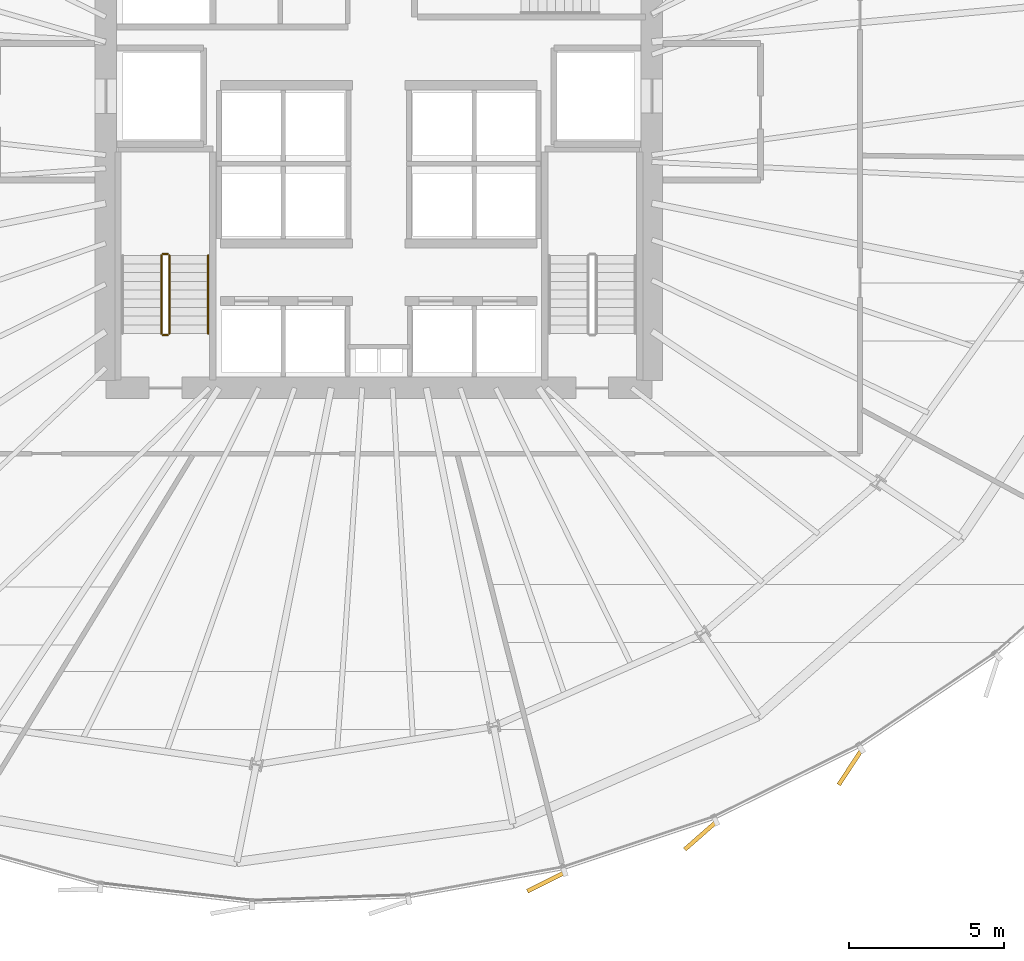
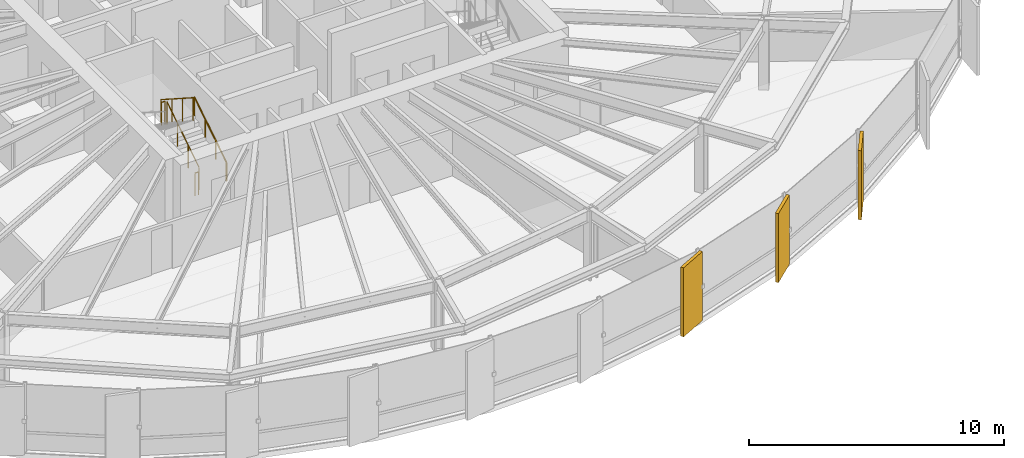
# One storey, part 32 of 35: 5 railings, 3 coverings.
"""IFC4 building model written with IfcOpenShell, lengths in metres."""

from ifc_helpers import new_model, si_unit, direction, frame, origin, origin_2d, place, context, subcontext, project, spatial, rectangle, circle, extrude, source, transform, mapped, material, layer, layer_set, type_object, element, save


model = new_model("IFC4")

# Units and contexts
model_context = context("Model", 3, precision=1e-05, world=origin(), true_north=direction((0.0, 1.0)))
body_context = subcontext(model_context, "Body", "Model", "MODEL_VIEW")
ifc_project = project(units=[si_unit("LENGTHUNIT", "METRE"), si_unit("AREAUNIT", "SQUARE_METRE"), si_unit("VOLUMEUNIT", "CUBIC_METRE"), si_unit("PLANEANGLEUNIT", "RADIAN"), si_unit("MASSUNIT", "GRAM", prefix="KILO"), si_unit("THERMODYNAMICTEMPERATUREUNIT", "KELVIN")], contexts=[model_context])

# Site, building, storey
site_placement = place(None, origin())
site = spatial("IfcSite", under=ifc_project, at=site_placement, CompositionType="ELEMENT")
building_placement = place(site_placement, origin())
building = spatial("IfcBuilding", under=site, at=building_placement, Name="Kethvar Cultural Tower", CompositionType="ELEMENT")
storey_placement = place(building_placement, frame((0.0, 0.0, 92.800048828125)))
storey = spatial("IfcBuildingStorey", under=building, at=storey_placement, Name="L22", CompositionType="ELEMENT", Elevation=92.800048828125)

# Railings
ifc_material_1 = material(Name="Steel S355J2", Category="steel")
railing_type_1 = type_object("IfcRailingType", Name="RL-STAIR-GUARD", PredefinedType="BALUSTRADE", material=ifc_material_1)
railing_1_placement = place(storey_placement, frame((40.050048828125, 21.85009765625, 0.179931640625)))
element("IfcRailing", 1, at=railing_1_placement, inside=storey, type_object=railing_type_1, Name="L22 ST-01 stair guard 1", PredefinedType="BALUSTRADE", context=body_context, shape_type="SweptSolid", body=[
    extrude(circle(Radius=0.02392578125, at=origin_2d()), frame((0.0, 0.0, 1.09619140625), z_axis=(0.0, 0.841162588446, 0.540782303519), x_axis=(-1.0, 0.0, 0.0)), (0.0, 0.0, 1.0), 2.995849609375),
    extrude(circle(Radius=0.02099609375, at=origin_2d()), origin(), (0.0, 0.0, 1.0), 1.072021484375),
    extrude(circle(Radius=0.02099609375, at=origin_2d()), frame((0.0, 0.840087890625, 0.5400390625)), (0.0, 0.0, 1.0), 1.072021484375),
    extrude(circle(Radius=0.02099609375, at=origin_2d()), frame((0.0, 1.679931640625, 1.080078125)), (0.0, 0.0, 1.0), 1.072021484375),
    extrude(circle(Radius=0.02099609375, at=origin_2d()), frame((0.0, 2.52001953125, 1.6201171875)), (0.0, 0.0, 1.0), 1.072021484375),
])
railing_2_placement = place(storey_placement, frame((40.0, 24.419921875, 1.800048828125)))
element("IfcRailing", 2, at=railing_2_placement, inside=storey, type_object=railing_type_1, Name="L22 ST-01 stair guard 2", PredefinedType="BALUSTRADE", context=body_context, shape_type="SweptSolid", body=[
    extrude(circle(Radius=0.02392578125, at=origin_2d()), frame((0.0, 0.0, 1.09619140625), z_axis=(-1.0, 0.0, 0.0), x_axis=(0.0, -1.0, 0.0)), (0.0, 0.0, 1.0), 0.159912109375),
    extrude(circle(Radius=0.02099609375, at=origin_2d()), origin(), (0.0, 0.0, 1.0), 1.072021484375),
    extrude(circle(Radius=0.02099609375, at=origin_2d()), frame((-0.159912109375, 0.0, 0.0)), (0.0, 0.0, 1.0), 1.072021484375),
])
railing_3_placement = place(storey_placement, frame((39.7900390625, 24.3701171875, 1.97998046875)))
element("IfcRailing", 3, at=railing_3_placement, inside=storey, type_object=railing_type_1, Name="L22 ST-01 stair guard 3", PredefinedType="BALUSTRADE", context=body_context, shape_type="SweptSolid", body=[
    extrude(circle(Radius=0.02392578125, at=origin_2d()), frame((0.0, 0.0, 1.09619140625), z_axis=(0.0, -0.841199657755, 0.540724639528), x_axis=(1.0, 0.0, 0.0)), (0.0, 0.0, 1.0), 2.995849609375),
    extrude(circle(Radius=0.02099609375, at=origin_2d()), origin(), (0.0, 0.0, 1.0), 1.072021484375),
    extrude(circle(Radius=0.02099609375, at=origin_2d()), frame((0.0, -0.840087890625, 0.5400390625)), (0.0, 0.0, 1.0), 1.072021484375),
    extrude(circle(Radius=0.02099609375, at=origin_2d()), frame((0.0, -1.679931640625, 1.079833984375)), (0.0, 0.0, 1.0), 1.072021484375),
    extrude(circle(Radius=0.02099609375, at=origin_2d()), frame((0.0, -2.52001953125, 1.619873046875)), (0.0, 0.0, 1.0), 1.072021484375),
])
railing_4_placement = place(storey_placement, frame((40.0, 21.800048828125, 0.0)))
element("IfcRailing", 4, at=railing_4_placement, inside=storey, type_object=railing_type_1, Name="L22 ST-01 stair guard 4", PredefinedType="BALUSTRADE", context=body_context, shape_type="SweptSolid", body=[
    extrude(circle(Radius=0.02392578125, at=origin_2d()), frame((0.0, 0.0, 1.09619140625), z_axis=(-1.0, 0.0, 0.0), x_axis=(0.0, -1.0, 0.0)), (0.0, 0.0, 1.0), 0.159912109375),
    extrude(circle(Radius=0.02099609375, at=origin_2d()), origin(), (0.0, 0.0, 1.0), 1.072021484375),
    extrude(circle(Radius=0.02099609375, at=origin_2d()), frame((-0.159912109375, 0.0, 0.0)), (0.0, 0.0, 1.0), 1.072021484375),
])
railing_type_2 = type_object("IfcRailingType", Name="RL-STAIR-HANDRAIL", PredefinedType="HANDRAIL", material=ifc_material_1)
railing_5_placement = place(storey_placement, frame((41.300048828125, 21.85009765625, 0.179931640625)))
element("IfcRailing", 5, at=railing_5_placement, inside=storey, type_object=railing_type_2, Name="L22 ST-01 stair handrail 1", PredefinedType="HANDRAIL", context=body_context, shape_type="SweptSolid", body=[
    extrude(circle(Radius=0.02392578125, at=origin_2d()), frame((0.0, 0.0, 0.8759765625), z_axis=(0.0, 0.841162588446, 0.540782303519), x_axis=(-1.0, 0.0, 0.0)), (0.0, 0.0, 1.0), 2.995849609375),
    extrude(circle(Radius=0.02099609375, at=origin_2d()), origin(), (0.0, 0.0, 1.0), 0.851806640625),
    extrude(circle(Radius=0.02099609375, at=origin_2d()), frame((0.0, 0.840087890625, 0.5400390625)), (0.0, 0.0, 1.0), 0.851806640625),
    extrude(circle(Radius=0.02099609375, at=origin_2d()), frame((0.0, 1.679931640625, 1.080078125)), (0.0, 0.0, 1.0), 0.851806640625),
    extrude(circle(Radius=0.02099609375, at=origin_2d()), frame((0.0, 2.52001953125, 1.6201171875)), (0.0, 0.0, 1.0), 0.851806640625),
])

# Coverings
ifc_material_2 = material(Name="Extruded Architectural Terracotta", Category="masonry")
ifc_layer = layer(ifc_material_2, 0.135009765625, Name="Extruded Architectural Terracotta", Category="masonry")
ifc_layer_set = layer_set([ifc_layer], Name="Extruded Architectural Terracotta (135 mm)")
covering_type = type_object("IfcCoveringType", Name="Terracotta Facade Fin FIN-02", PredefinedType="CLADDING", material=ifc_layer_set)
shared_shape = source(origin(), body_context, "Body", "SweptSolid", [
    extrude(rectangle(XDim=1.35009765625, YDim=0.135009765625, at=origin_2d()), origin(), (0.0, 0.0, 1.0), 3.31005859375),
])
for number, where, z_axis, x_axis, name in (
    (6, (52.190185546875, 4.17529296875, 0.02001953125), (0.0, 0.0, 1.0), (-0.895167867544, -0.445729165431, 0.0), "L22 Vertical Terracotta Fin 5.4"),
    (7, (57.169677734375, 5.6630859375, 0.02001953125), (0.0, 0.0, 1.0), (-0.752184937064, -0.658952062334, 0.0), "L22 Vertical Terracotta Fin 5.5"),
    (8, (61.995361328125, 7.867919921875, 0.02001953125), (0.0, 0.0, 1.0), (-0.548001277184, -0.836477495337, 0.0), "L22 Vertical Terracotta Fin 5.6"),
):
    element("IfcCovering", number, at=place(storey_placement, frame(where, z_axis=z_axis, x_axis=x_axis)), inside=storey, type_object=covering_type, Name=name, PredefinedType="CLADDING", context=body_context, shape_type="MappedRepresentation", body=[
        mapped(shared_shape, transform((0.0, 0.0, 0.0), scale=1.0)),
    ])

save(model, "model.ifc")
